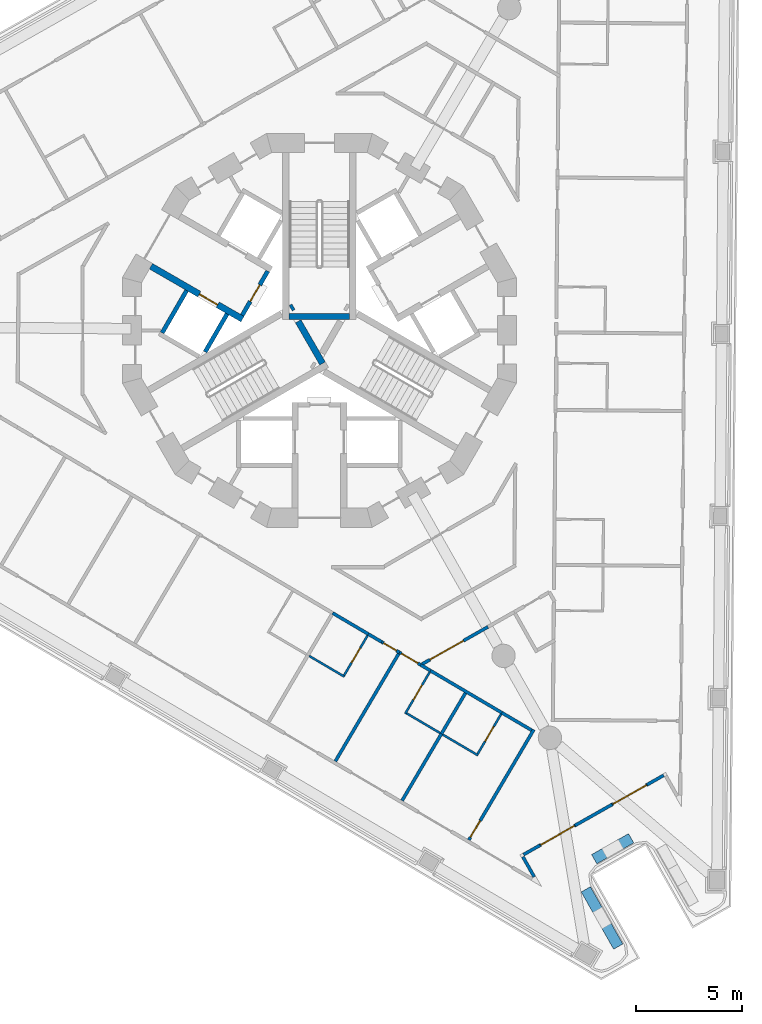
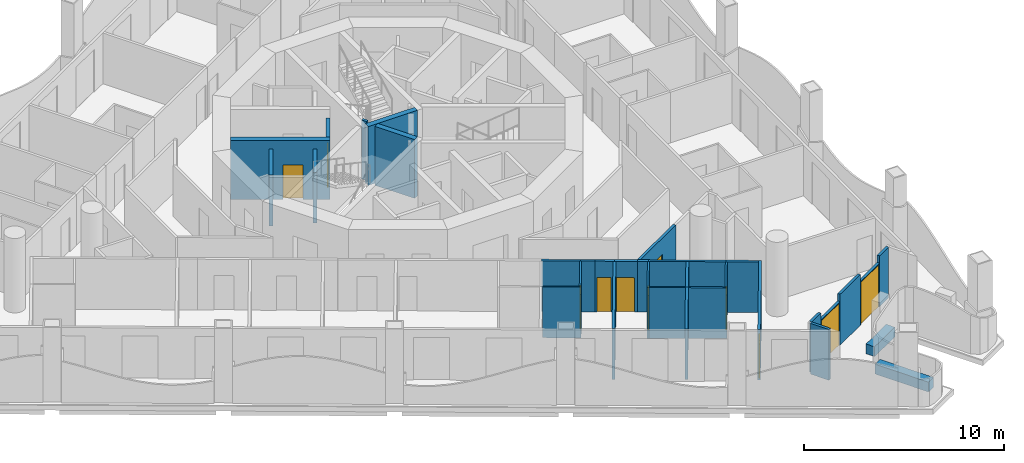
# One storey, part 4 of 17: 33 walls, 11 doors, 11 openings.
"""IFC4 building model written with IfcOpenShell, lengths in metres."""

import ifcopenshell
import ifcopenshell.guid

model = None  # the IFC model being written
_history = None  # IfcOwnerHistory: only IFC2X3 demands one
_inside = {}  # id of a spatial element -> (the spatial element, [elements in it])
_under = {}  # id of a project, library or spatial element -> (it, [spatial elements below it])
_declared = {}  # id of a project -> (the project, [libraries it declares])
_typed = {}  # id of a type object -> (the type object, [elements of that type])
_made_of = {}  # id of a material, layer set ... -> (it, [elements and type objects made of it])


def new_model(schema):
    """Start an empty IFC model of exactly this schema.

    Asked for "IFC4X3", IfcOpenShell would pick the latest addendum, in which some entities
    have other attributes; the version numbers below select the first issue.
    IFC2X3 requires an IfcOwnerHistory on every rooted entity: one is made here for all.
    """
    global model, _history
    if schema == "IFC4X3":
        model = ifcopenshell.file(schema_version=(4, 3, 0, 0))
    else:
        model = ifcopenshell.file(schema=schema)
    _inside.clear()
    _under.clear()
    _declared.clear()
    _typed.clear()
    _made_of.clear()
    _history = None
    if model.schema == "IFC2X3":
        org = make("IfcOrganization", Name="unknown")
        user = make(
            "IfcPersonAndOrganization",
            ThePerson=make("IfcPerson", FamilyName="unknown"),
            TheOrganization=org,
        )
        app = make(
            "IfcApplication",
            ApplicationDeveloper=org,
            Version="unknown",
            ApplicationFullName="unknown",
            ApplicationIdentifier="unknown",
        )
        _history = make(
            "IfcOwnerHistory",
            OwningUser=user,
            OwningApplication=app,
            ChangeAction="ADDED",
            CreationDate=0,
        )
    return model


def make(cls, **values):
    """One entity of the class cls with the attributes given. An attribute that is None is left unset."""
    return model.create_entity(
        cls, **{name: value for name, value in values.items() if value is not None}
    )


def rooted(cls, **values):
    """An entity with a GlobalId (a new one), such as an element, a storey or a relation."""
    return make(cls, GlobalId=ifcopenshell.guid.new(), OwnerHistory=_history, **values)


def si_unit(unit_type, name, prefix=None):
    """IfcSIUnit, for example si_unit("LENGTHUNIT", "METRE", prefix="MILLI")."""
    return make("IfcSIUnit", UnitType=unit_type, Prefix=prefix, Name=name)


def assignment(units):
    """IfcUnitAssignment: the units of a project."""
    return None if units is None else make("IfcUnitAssignment", Units=units)


def point(xyz):
    """IfcCartesianPoint."""
    return None if xyz is None else make("IfcCartesianPoint", Coordinates=xyz)


def direction(xyz):
    """IfcDirection."""
    return None if xyz is None else make("IfcDirection", DirectionRatios=xyz)


def frame(location, z_axis=None, x_axis=None):
    """IfcAxis2Placement3D, a coordinate frame: its origin and axes. An axis left out is left unset."""
    return make(
        "IfcAxis2Placement3D",
        Location=point(location),
        Axis=direction(z_axis),
        RefDirection=direction(x_axis),
    )


def frame_2d(location, x_axis=None):
    """IfcAxis2Placement2D, a coordinate frame in the plane: its origin and x axis."""
    return make(
        "IfcAxis2Placement2D", Location=point(location), RefDirection=direction(x_axis)
    )


def origin():
    """The frame at (0, 0, 0) with its axes left unset."""
    return frame((0.0, 0.0, 0.0))


def place(relative_to, where):
    """IfcLocalPlacement: puts the frame where relative to a parent placement (None: the world)."""
    return make(
        "IfcLocalPlacement", PlacementRelTo=relative_to, RelativePlacement=where
    )


def context(
    kind, dimensions, precision=None, world=None, true_north=None, identifier=None
):
    """IfcGeometricRepresentationContext, for example the 3D "Model" context."""
    return make(
        "IfcGeometricRepresentationContext",
        ContextIdentifier=identifier,
        ContextType=kind,
        CoordinateSpaceDimension=dimensions,
        Precision=precision,
        WorldCoordinateSystem=world,
        TrueNorth=true_north,
    )


def subcontext(parent, identifier, kind, view, scale=None):
    """IfcGeometricRepresentationSubContext, for example "Body" below "Model"."""
    return make(
        "IfcGeometricRepresentationSubContext",
        ContextIdentifier=identifier,
        ContextType=kind,
        ParentContext=parent,
        TargetScale=scale,
        TargetView=view,
    )


def project(units=None, contexts=None):
    """IfcProject with its units and contexts."""
    return rooted(
        "IfcProject",
        Name="project",
        RepresentationContexts=contexts,
        UnitsInContext=assignment(units),
    )


def spatial(cls, under=None, at=None, **own):
    """A site, building, storey or space (cls), placed at a placement, below another one or the project."""
    s = rooted(cls, ObjectPlacement=at, **own)
    if under is not None:
        _under.setdefault(under.id(), (under, []))[1].append(s)
    return s


def polyline(points):
    """IfcPolyline through the points."""
    return make("IfcPolyline", Points=[point(p) for p in points])


def profile(cls, at=None, kind="AREA", **sizes):
    """A parametric profile (cls). Its sizes go by their IFC names, for example OverallWidth=200.0."""
    return make(cls, ProfileType=kind, Position=at, **sizes)


def rectangle(**sizes):
    """IfcRectangleProfileDef."""
    return profile("IfcRectangleProfileDef", **sizes)


def outline(outer, holes=None, kind="AREA"):
    """IfcArbitraryClosedProfileDef: a profile drawn as a closed curve; with holes, ...WithVoids."""
    if holes is None:
        return make("IfcArbitraryClosedProfileDef", ProfileType=kind, OuterCurve=outer)
    return make(
        "IfcArbitraryProfileDefWithVoids",
        ProfileType=kind,
        OuterCurve=outer,
        InnerCurves=holes,
    )


def extrude(swept, where, along, depth):
    """IfcExtrudedAreaSolid: the profile swept, set in the frame where, extruded along a direction by depth."""
    return make(
        "IfcExtrudedAreaSolid",
        SweptArea=swept,
        Position=where,
        ExtrudedDirection=direction(along),
        Depth=depth,
    )


def shape(context_of_items, identifier, shape_type, items):
    """IfcShapeRepresentation: the items that make up one representation, for example the "Body"."""
    return make(
        "IfcShapeRepresentation",
        ContextOfItems=context_of_items,
        RepresentationIdentifier=identifier,
        RepresentationType=shape_type,
        Items=items,
    )


def material(Name=None, Category=None):
    """IfcMaterial."""
    return make("IfcMaterial", Name=Name, Category=Category)


def layer(
    of_material, thickness, ventilated=None, Name=None, Category=None, Priority=None
):
    """IfcMaterialLayer: one layer of a wall or slab, of a material (None: an air gap)."""
    return make(
        "IfcMaterialLayer",
        Material=of_material,
        LayerThickness=thickness,
        IsVentilated=ventilated,
        Name=Name,
        Category=Category,
        Priority=Priority,
    )


def layer_set(layers, Name=None):
    """IfcMaterialLayerSet."""
    return make("IfcMaterialLayerSet", MaterialLayers=layers, LayerSetName=Name)


def made_of(thing, what):
    """Note that an element or type object is made of a material, layer set ...; save() writes the relation."""
    if what is not None:
        _made_of.setdefault(what.id(), (what, []))[1].append(thing)
    return thing


def type_object(cls, material=None, **own):
    """A type object (cls), such as IfcWallType, which elements share."""
    return made_of(rooted(cls, **own), material)


def element(
    cls,
    number,
    at=None,
    inside=None,
    cuts=None,
    type_object=None,
    material=None,
    context=None,
    identifier="Body",
    shape_type=None,
    held_by="IfcProductDefinitionShape",
    body=None,
    shapes=None,
    **own,
):
    """One element of the class cls, such as IfcWall. Its Tag is "e" and its number.

    at: its placement. inside: the storey or other place that contains it. cuts: it is an
    opening in that element (IfcRelVoidsElement). A single representation is given by context,
    identifier, shape_type and body (its items); several are given by shapes. held_by: the class
    of the entity that holds the representations. save() writes the other relations.
    """
    e = rooted(cls, Tag="e%d" % number, ObjectPlacement=at, **own)
    if body is not None:
        shapes = [shape(context, identifier, shape_type, body)]
    if shapes is not None:
        e.Representation = make(held_by, Representations=shapes)
    if inside is not None:
        _inside.setdefault(inside.id(), (inside, []))[1].append(e)
    if cuts is not None:
        rooted(
            "IfcRelVoidsElement", RelatingBuildingElement=cuts, RelatedOpeningElement=e
        )
    if type_object is not None:
        _typed.setdefault(type_object.id(), (type_object, []))[1].append(e)
    return made_of(e, material)


def fill(opening, filler):
    """IfcRelFillsElement: the door or window that sits in an opening."""
    return rooted(
        "IfcRelFillsElement",
        RelatingOpeningElement=opening,
        RelatedBuildingElement=filler,
    )


def aggregate(whole, parts):
    """IfcRelAggregates: a whole, such as a stair, and the parts it consists of."""
    return rooted("IfcRelAggregates", RelatingObject=whole, RelatedObjects=parts)


def save(model, path):
    """Write the relations noted so far, then the file.

    IfcRelAggregates (storeys below a building ...), IfcRelContainedInSpatialStructure (elements
    in a storey), IfcRelDefinesByType, IfcRelAssociatesMaterial and IfcRelDeclares: one each for
    every whole, place, type object, material and project.
    """
    for whole, parts in _under.values():
        aggregate(whole, parts)
    for where, things in _inside.values():
        rooted(
            "IfcRelContainedInSpatialStructure",
            RelatedElements=things,
            RelatingStructure=where,
        )
    for kind, things in _typed.values():
        rooted("IfcRelDefinesByType", RelatedObjects=things, RelatingType=kind)
    for what, things in _made_of.values():
        rooted("IfcRelAssociatesMaterial", RelatedObjects=things, RelatingMaterial=what)
    for by, libraries in _declared.values():
        rooted("IfcRelDeclares", RelatingContext=by, RelatedDefinitions=libraries)
    model.write(path)


model = new_model("IFC4")

# Units and contexts
model_context = context("Model", 3, precision=1e-05, world=origin(), true_north=direction((0.0, 1.0)))
body_context = subcontext(model_context, "Body", "Model", "MODEL_VIEW")
ifc_project = project(units=[si_unit("LENGTHUNIT", "METRE"), si_unit("AREAUNIT", "SQUARE_METRE"), si_unit("VOLUMEUNIT", "CUBIC_METRE"), si_unit("PLANEANGLEUNIT", "RADIAN"), si_unit("MASSUNIT", "GRAM", prefix="KILO")], contexts=[model_context])

# Site, building, storey
site_placement = place(None, origin())
site = spatial("IfcSite", under=ifc_project, at=site_placement, CompositionType="ELEMENT")
building_placement = place(site_placement, origin())
building = spatial("IfcBuilding", under=site, at=building_placement, Name="Trine Commons Tower", CompositionType="ELEMENT")
storey_placement = place(building_placement, frame((0.0, 0.0, 189.89990234375)))
storey = spatial("IfcBuildingStorey", under=building, at=storey_placement, Name="L49", CompositionType="ELEMENT", Elevation=189.89990234375)

# Wall
ifc_material_1 = material(Name="Aluminium-framed insulated wall panel", Category="aluminium")
ifc_layer_1 = layer(ifc_material_1, 0.14990234375)
ifc_layer_set_1 = layer_set([ifc_layer_1], Name="Aluminium-framed insulated wall panel")
wall_type_1 = type_object("IfcWallType", Name="Glazed frame wall 150, EI 60", PredefinedType="SOLIDWALL", material=ifc_layer_set_1)
wall_1_placement = place(storey_placement, frame((96.30078125, 41.6083984375, 0.0), z_axis=(0.0, 0.0, 1.0), x_axis=(-0.870353598469, -0.492427267353, 0.0)))
element("IfcWall", 1, at=wall_1_placement, inside=storey, type_object=wall_type_1, Name="Glazed frame wall P3.1", PredefinedType="SOLIDWALL", context=body_context, shape_type="SweptSolid", body=[
    extrude(outline(polyline([(0.110107421875, -0.074951171875), (1.0, -0.074951171875), (1.0, 0.074951171875), (0.110107421875, 0.074951171875), (0.110107421875, -0.074951171875)])), origin(), (0.0, 0.0, 1.0), 3.10009765625),
])

# Wall, opening, door
wall_2_placement = place(storey_placement, frame((95.430419921875, 41.115966796875, 0.0), z_axis=(0.0, 0.0, 1.0), x_axis=(-0.870354540841, -0.492425601728, 0.0)))
wall_2 = element("IfcWall", 2, at=wall_2_placement, inside=storey, type_object=wall_type_1, Name="Glazed frame wall P3.2", PredefinedType="SOLIDWALL", context=body_context, shape_type="SweptSolid", body=[
    extrude(outline(polyline([(0.0, -0.074951171875), (1.89990234375, -0.074951171875), (1.89990234375, 0.074951171875), (0.0, 0.074951171875), (0.0, -0.074951171875)])), origin(), (0.0, 0.0, 1.0), 2.650146484375),
])
opening_1_placement = place(wall_2_placement, frame((0.050048828125, 0.0, 0.0)))
opening_1 = element("IfcOpeningElement", 3, at=opening_1_placement, cuts=wall_2, Name="Opening BD-5P3-01", PredefinedType="OPENING", context=body_context, shape_type="SweptSolid", body=[
    extrude(rectangle(XDim=1.800048828125, YDim=2.60009765625, at=frame_2d((0.89990234375, 1.300048828125))), frame((0.0, 0.0849609375, 0.0), z_axis=(0.0, -1.0, 0.0), x_axis=(1.0, 0.0, 0.0)), (0.0, 0.0, 1.0), 0.169921875),
])
ifc_material_2 = material(Name="Anodised aluminium frame with double glazing", Category="aluminium")
door_type_1 = type_object("IfcDoorType", Name="Sliding loggia door 1800x2600", OperationType="SLIDING_TO_LEFT", PredefinedType="DOOR", material=ifc_material_2)
door_1_placement = place(opening_1_placement, origin())
door_1 = element("IfcDoor", 4, at=door_1_placement, inside=storey, type_object=door_type_1, Name="Loggia door P3 1", OperationType="SLIDING_TO_LEFT", OverallHeight=2.60009765625, OverallWidth=1.800048828125, PredefinedType="DOOR", context=body_context, shape_type="SweptSolid", body=[
    extrude(rectangle(XDim=1.800048828125, YDim=2.60009765625, at=frame_2d((0.89990234375, 1.300048828125))), frame((0.0, 0.02490234375, 0.0), z_axis=(0.0, -1.0, 0.0), x_axis=(1.0, 0.0, 0.0)), (0.0, 0.0, 1.0), 0.050048828125),
])
fill(opening_1, door_1)

# Wall
wall_3_placement = place(storey_placement, frame((93.77685546875, 40.180419921875, 0.0), z_axis=(0.0, 0.0, 1.0), x_axis=(-0.870353598469, -0.492427267353, 0.0)))
element("IfcWall", 5, at=wall_3_placement, inside=storey, type_object=wall_type_1, Name="Glazed frame wall P3.3", PredefinedType="SOLIDWALL", context=body_context, shape_type="SweptSolid", body=[
    extrude(outline(polyline([(0.0, -0.074951171875), (2.0, -0.074951171875), (2.0, 0.074951171875), (0.0, 0.074951171875), (0.0, -0.074951171875)])), origin(), (0.0, 0.0, 1.0), 3.10009765625),
])

# Wall, opening, door
wall_4_placement = place(storey_placement, frame((92.0361328125, 39.195556640625, 0.0), z_axis=(0.0, 0.0, 1.0), x_axis=(-0.870385695537, -0.492370532226, 0.0)))
wall_4 = element("IfcWall", 6, at=wall_4_placement, inside=storey, type_object=wall_type_1, Name="Glazed frame wall P3.4", PredefinedType="SOLIDWALL", context=body_context, shape_type="SweptSolid", body=[
    extrude(outline(polyline([(0.0, -0.074951171875), (1.89990234375, -0.074951171875), (1.89990234375, 0.074951171875), (0.0, 0.074951171875), (0.0, -0.074951171875)])), origin(), (0.0, 0.0, 1.0), 2.650146484375),
])
opening_2_placement = place(wall_4_placement, frame((0.050048828125, 0.0, 0.0)))
opening_2 = element("IfcOpeningElement", 7, at=opening_2_placement, cuts=wall_4, Name="Opening BD-5P3-02", PredefinedType="OPENING", context=body_context, shape_type="SweptSolid", body=[
    extrude(rectangle(XDim=1.800048828125, YDim=2.60009765625, at=frame_2d((0.89990234375, 1.300048828125))), frame((0.0, 0.0849609375, 0.0), z_axis=(0.0, -1.0, 0.0), x_axis=(1.0, 0.0, 0.0)), (0.0, 0.0, 1.0), 0.169921875),
])
door_2_placement = place(opening_2_placement, origin())
door_2 = element("IfcDoor", 8, at=door_2_placement, inside=storey, type_object=door_type_1, Name="Loggia door P3 2", OperationType="SLIDING_TO_LEFT", OverallHeight=2.60009765625, OverallWidth=1.800048828125, PredefinedType="DOOR", context=body_context, shape_type="SweptSolid", body=[
    extrude(rectangle(XDim=1.800048828125, YDim=2.60009765625, at=frame_2d((0.89990234375, 1.300048828125))), frame((0.0, 0.02490234375, 0.0), z_axis=(0.0, -1.0, 0.0), x_axis=(1.0, 0.0, 0.0)), (0.0, 0.0, 1.0), 0.050048828125),
])
fill(opening_2, door_2)

# Walls
wall_5_placement = place(storey_placement, frame((90.38232421875, 38.260009765625, 0.0), z_axis=(0.0, 0.0, 1.0), x_axis=(-0.870294379776, -0.492531920316, 0.0)))
element("IfcWall", 9, at=wall_5_placement, inside=storey, type_object=wall_type_1, Name="Glazed frame wall P3.5", PredefinedType="SOLIDWALL", context=body_context, shape_type="SweptSolid", body=[
    extrude(outline(polyline([(0.889892578125, 0.074951171875), (0.0, 0.074951171875), (0.0, -0.074951171875), (0.889892578125, -0.074951171875), (0.889892578125, 0.074951171875)])), origin(), (0.0, 0.0, 1.0), 3.10009765625),
])
wall_6_placement = place(storey_placement, frame((89.525390625, 37.815185546875, 0.0), z_axis=(0.0, 0.0, 1.0), x_axis=(0.492302481267, -0.870424187933, 0.0)))
element("IfcWall", 10, at=wall_6_placement, inside=storey, type_object=wall_type_1, Name="Glazed frame wall R11", PredefinedType="SOLIDWALL", context=body_context, shape_type="SweptSolid", body=[
    extrude(outline(polyline([(0.110107421875, 0.074951171875), (0.110107421875, -0.074951171875), (1.19580078125, -0.074951171875), (1.19580078125, 0.074951171875), (0.110107421875, 0.074951171875)])), origin(), (0.0, 0.0, 1.0), 3.10009765625),
])

# Wall, opening, door
ifc_material_3 = material(Name="Fire-rated gypsum shaft wall system")
ifc_layer_2 = layer(ifc_material_3, 0.199951171875)
ifc_layer_set_2 = layer_set([ifc_layer_2], Name="Fire-rated gypsum shaft wall system")
wall_type_2 = type_object("IfcWallType", Name="Lobby end wall 200 mm, EI 120", PredefinedType="PARTITIONING", material=ifc_layer_set_2)
wall_7_placement = place(storey_placement, frame((77.569091796875, 65.2890625, 0.0), z_axis=(0.0, 0.0, 1.0), x_axis=(-0.50012165622, -0.865955154139, 0.0)))
wall_7 = element("IfcWall", 11, at=wall_7_placement, inside=storey, type_object=wall_type_2, Name="Lobby end wall L49", PredefinedType="PARTITIONING", context=body_context, shape_type="SweptSolid", body=[
    extrude(rectangle(XDim=2.39990234375, YDim=0.199951171875, at=frame_2d((1.199951171875, 0.0))), origin(), (0.0, 0.0, 1.0), 3.10009765625),
])
opening_3_placement = place(wall_7_placement, frame((0.749755859375, 0.0, 0.0)))
opening_3 = element("IfcOpeningElement", 12, at=opening_3_placement, cuts=wall_7, Name="Opening K12.07", PredefinedType="OPENING", context=body_context, shape_type="SweptSolid", body=[
    extrude(rectangle(XDim=0.89990234375, YDim=2.10009765625, at=frame_2d((0.449951171875, 1.050048828125))), frame((0.0, 0.10986328125, 0.0), z_axis=(0.0, -1.0, 0.0), x_axis=(1.0, 0.0, 0.0)), (0.0, 0.0, 1.0), 0.219970703125),
])
ifc_material_4 = material(Name="Steel door leaf, fire-rated", Category="steel")
door_type_2 = type_object("IfcDoorType", Name="Riser access door, single leaf 900 x 2100, FD60", OperationType="SINGLE_SWING_LEFT", PredefinedType="DOOR", material=ifc_material_4)
door_3_placement = place(opening_3_placement, frame((0.89990234375, 0.0, 0.0), z_axis=(0.0, 0.0, 1.0), x_axis=(-1.0, 0.0, 0.0)))
door_3 = element("IfcDoor", 13, at=door_3_placement, inside=storey, type_object=door_type_2, Name="Riser door, Mechanical riser L49", OperationType="SINGLE_SWING_RIGHT", OverallHeight=2.10009765625, OverallWidth=0.89990234375, PredefinedType="DOOR", context=body_context, shape_type="SweptSolid", body=[
    extrude(rectangle(XDim=0.89990234375, YDim=2.10009765625, at=frame_2d((0.449951171875, 1.050048828125))), frame((0.0, 0.02490234375, 0.0), z_axis=(0.0, -1.0, 0.0), x_axis=(1.0, 0.0, 0.0)), (0.0, 0.0, 1.0), 0.050048828125),
])
fill(opening_3, door_3)

# Walls
ifc_material_5 = material(Name="Planter trough, precast concrete C40/50", Category="concrete")
ifc_layer_3 = layer(ifc_material_5, 0.5)
ifc_layer_set_3 = layer_set([ifc_layer_3], Name="Planter trough, precast concrete C40/50")
wall_type_3 = type_object("IfcWallType", Name="Planter trough 500x600", PredefinedType="PARAPET", material=ifc_layer_set_3)
wall_8_placement = place(storey_placement, frame((94.67529296875, 38.592041015625, 0.0), z_axis=(0.0, 0.0, 1.0), x_axis=(-0.870323993841, -0.492479589165, 0.0)))
element("IfcWall", 14, at=wall_8_placement, inside=storey, type_object=wall_type_3, Name="Planter 8", PredefinedType="PARAPET", context=body_context, shape_type="SweptSolid", body=[
    extrude(rectangle(XDim=1.999755859375, YDim=0.5, at=frame_2d((1.0, 0.0))), origin(), (0.0, 0.0, 1.0), 0.60009765625),
])
wall_9_placement = place(storey_placement, frame((92.541748046875, 36.189697265625, 0.0), z_axis=(0.0, 0.0, 1.0), x_axis=(0.492402381783, -0.870367677717, 0.0)))
element("IfcWall", 15, at=wall_9_placement, inside=storey, type_object=wall_type_3, Name="Planter 9", PredefinedType="PARAPET", context=body_context, shape_type="SweptSolid", body=[
    extrude(rectangle(XDim=3.099853515625, YDim=0.5, at=frame_2d((1.5498046875, 0.0))), origin(), (0.0, 0.0, 1.0), 0.60009765625),
])

# Wall, opening, door
ifc_material_6 = material(Name="Concrete C60/75", Category="concrete")
ifc_layer_4 = layer(ifc_material_6, 0.300048828125)
ifc_layer_set_4 = layer_set([ifc_layer_4], Name="Concrete C60/75")
wall_type_4 = type_object("IfcWallType", Name="RC shear wall 300 mm, C60/75", PredefinedType="SHEAR", material=ifc_layer_set_4)
wall_10_placement = place(storey_placement, frame((76.381103515625, 63.031005859375, 0.0), z_axis=(0.0, 0.0, 1.0), x_axis=(-0.866080953719, 0.499903772346, 0.0)))
wall_10 = element("IfcWall", 16, at=wall_10_placement, inside=storey, type_object=wall_type_4, Name="Core cross wall SWB-01 L49", PredefinedType="SHEAR", context=body_context, shape_type="SweptSolid", body=[
    extrude(rectangle(XDim=4.97314453125, YDim=0.300048828125, at=frame_2d((2.486572265625, 0.0))), origin(), (0.0, 0.0, 1.0), 3.60009765625),
])
opening_4_placement = place(wall_10_placement, frame((1.350341796875, 0.0, 0.0)))
opening_4 = element("IfcOpeningElement", 17, at=opening_4_placement, cuts=wall_10, Name="Opening LD7", PredefinedType="OPENING", context=body_context, shape_type="SweptSolid", body=[
    extrude(rectangle(XDim=1.0, YDim=2.10009765625, at=frame_2d((0.5, 1.050048828125))), frame((0.0, 0.159912109375, 0.0), z_axis=(0.0, -1.0, 0.0), x_axis=(1.0, 0.0, 0.0)), (0.0, 0.0, 1.0), 0.320068359375),
])
ifc_material_7 = material(Name="Stainless steel sliding door leaves", Category="steel")
door_type_3 = type_object("IfcDoorType", Name="Lift landing door, centre-opening sliding 1000 x 2100, FD90", OperationType="DOUBLE_DOOR_SLIDING", PredefinedType="DOOR", material=ifc_material_7)
door_4_placement = place(opening_4_placement, origin())
door_4 = element("IfcDoor", 18, at=door_4_placement, inside=storey, type_object=door_type_3, Name="Lift landing door HR3 L49", OperationType="DOUBLE_DOOR_SLIDING", OverallHeight=2.10009765625, OverallWidth=1.0, PredefinedType="DOOR", context=body_context, shape_type="SweptSolid", body=[
    extrude(rectangle(XDim=1.0, YDim=2.10009765625, at=frame_2d((0.5, 1.050048828125))), frame((0.0, 0.02490234375, 0.0), z_axis=(0.0, -1.0, 0.0), x_axis=(1.0, 0.0, 0.0)), (0.0, 0.0, 1.0), 0.050048828125),
])
fill(opening_4, door_4)

# Walls
wall_11_placement = place(storey_placement, frame((78.779052734375, 63.614013671875, 0.0), z_axis=(0.0, 0.0, 1.0), x_axis=(-0.867737973955, -0.497021939713, 0.0)))
element("IfcWall", 19, at=wall_11_placement, inside=storey, type_object=wall_type_4, Name="Core cross wall SWB-09 L49", PredefinedType="SHEAR", context=body_context, shape_type="SweptSolid", body=[
    extrude(rectangle(XDim=0.14892578125, YDim=0.300048828125, at=frame_2d((0.074462890625, 0.0))), origin(), (0.0, 0.0, 1.0), 3.60009765625),
])
wall_12_placement = place(storey_placement, frame((79.0029296875, 62.926025390625, 0.0), z_axis=(0.0, 0.0, 1.0), x_axis=(0.499965247104, -0.866045467449, 0.0)))
element("IfcWall", 20, at=wall_12_placement, inside=storey, type_object=wall_type_4, Name="Core cross wall SWB-10 L49", PredefinedType="SHEAR", context=body_context, shape_type="SweptSolid", body=[
    extrude(rectangle(XDim=2.292236328125, YDim=0.300048828125, at=frame_2d((1.14599609375, 0.0))), origin(), (0.0, 0.0, 1.0), 3.60009765625),
])
wall_13_placement = place(storey_placement, frame((81.425048828125, 63.15087890625, 0.0), z_axis=(0.0, 0.0, 1.0), x_axis=(-1.0, 0.0, 0.0)))
element("IfcWall", 21, at=wall_13_placement, inside=storey, type_object=wall_type_4, Name="Core cross wall SWB-16 L49", PredefinedType="SHEAR", context=body_context, shape_type="SweptSolid", body=[
    extrude(rectangle(XDim=2.85009765625, YDim=0.300048828125, at=frame_2d((1.425048828125, 0.0))), origin(), (0.0, 0.0, 1.0), 3.60009765625),
])
ifc_layer_5 = layer(ifc_material_3, 0.199951171875)
ifc_layer_set_5 = layer_set([ifc_layer_5], Name="Fire-rated gypsum shaft wall system")
wall_type_5 = type_object("IfcWallType", Name="Shaft wall 200 mm, EI 120", PredefinedType="PARTITIONING", material=ifc_layer_set_5)
wall_14_placement = place(storey_placement, frame((73.7509765625, 64.3759765625, 0.0), z_axis=(0.0, 0.0, 1.0), x_axis=(-0.500136062276, -0.86594683394, 0.0)))
element("IfcWall", 22, at=wall_14_placement, inside=storey, type_object=wall_type_5, Name="Shaft wall L49", PredefinedType="PARTITIONING", context=body_context, shape_type="SweptSolid", body=[
    extrude(rectangle(XDim=2.299072265625, YDim=0.199951171875, at=frame_2d((1.1494140625, 0.0))), origin(), (0.0, 0.0, 1.0), 3.10009765625),
])
wall_15_placement = place(storey_placement, frame((75.656005859375, 63.27587890625, 0.0), z_axis=(0.0, 0.0, 1.0), x_axis=(-0.500271688072, -0.86586848777, 0.0)))
element("IfcWall", 23, at=wall_15_placement, inside=storey, type_object=wall_type_5, Name="Shaft wall L49", PredefinedType="PARTITIONING", context=body_context, shape_type="SweptSolid", body=[
    extrude(rectangle(XDim=2.064697265625, YDim=0.199951171875, at=frame_2d((1.0322265625, 0.0))), origin(), (0.0, 0.0, 1.0), 3.10009765625),
])
ifc_material_8 = material(Name="Gypsum plasterboard on steel stud", Category="steel")
ifc_layer_6 = layer(ifc_material_8, 0.14990234375)
ifc_layer_set_6 = layer_set([ifc_layer_6], Name="Gypsum plasterboard on steel stud")
wall_type_6 = type_object("IfcWallType", Name="Unit and corridor wall 150 mm, EI 60", PredefinedType="PARTITIONING", material=ifc_layer_set_6)
wall_16_placement = place(storey_placement, frame((80.6240234375, 49.194091796875, 0.0), z_axis=(0.0, 0.0, 1.0), x_axis=(0.861395924151, -0.507934111727, 0.0)))
element("IfcWall", 24, at=wall_16_placement, inside=storey, type_object=wall_type_6, Name="Partition 056", PredefinedType="PARTITIONING", context=body_context, shape_type="SweptSolid", body=[
    extrude(rectangle(XDim=2.00732421875, YDim=0.14990234375, at=frame_2d((1.003662109375, 0.0))), origin(), (0.0, 0.0, 1.0), 3.10009765625),
])
wall_17_placement = place(storey_placement, frame((80.750244140625, 42.215576171875, 0.0), z_axis=(0.0, 0.0, 1.0), x_axis=(0.507497807972, 0.86165304787, 0.0)))
element("IfcWall", 25, at=wall_17_placement, inside=storey, type_object=wall_type_6, Name="Partition 059", PredefinedType="PARTITIONING", context=body_context, shape_type="SweptSolid", body=[
    extrude(rectangle(XDim=5.873291015625, YDim=0.14990234375, at=frame_2d((2.9365234375, 0.0))), origin(), (0.0, 0.0, 1.0), 3.10009765625),
])
wall_18_placement = place(storey_placement, frame((82.303955078125, 48.2041015625, 0.0), z_axis=(0.0, 0.0, 1.0), x_axis=(0.861676633233, -0.507457761532, 0.0)))
element("IfcWall", 26, at=wall_18_placement, inside=storey, type_object=wall_type_6, Name="Partition 066", PredefinedType="PARTITIONING", context=body_context, shape_type="SweptSolid", body=[
    extrude(rectangle(XDim=0.731201171875, YDim=0.14990234375, at=frame_2d((0.36572265625, 0.0))), origin(), (0.0, 0.0, 1.0), 3.10009765625),
])

# Wall, opening, door
wall_19_placement = place(storey_placement, frame((82.93408203125, 47.8330078125, 0.0), z_axis=(0.0, 0.0, 1.0), x_axis=(0.861475716629, -0.507798768864, 0.0)))
wall_19 = element("IfcWall", 27, at=wall_19_placement, inside=storey, type_object=wall_type_6, Name="Partition 067", PredefinedType="PARTITIONING", context=body_context, shape_type="SweptSolid", body=[
    extrude(rectangle(XDim=0.97265625, YDim=0.14990234375, at=frame_2d((0.486328125, 0.0))), origin(), (0.0, 0.0, 1.0), 3.10009765625),
])
opening_5_placement = place(wall_19_placement, frame((0.1005859375, 0.0, 0.0)))
opening_5 = element("IfcOpeningElement", 28, at=opening_5_placement, cuts=wall_19, Name="Opening D-5C22", PredefinedType="OPENING", context=body_context, shape_type="SweptSolid", body=[
    extrude(rectangle(XDim=0.699951171875, YDim=2.10009765625, at=frame_2d((0.35009765625, 1.050048828125))), frame((0.0, 0.0849609375, 0.0), z_axis=(0.0, -1.0, 0.0), x_axis=(1.0, 0.0, 0.0)), (0.0, 0.0, 1.0), 0.169921875),
])
ifc_material_9 = material(Name="Timber fire door set", Category="wood")
door_type_4 = type_object("IfcDoorType", Name="Bedroom door 700 x 2100, FD30S", OperationType="NOTDEFINED", PredefinedType="DOOR", material=ifc_material_9)
door_5_placement = place(opening_5_placement, frame((0.699951171875, 0.0, 0.0), z_axis=(0.0, 0.0, 1.0), x_axis=(-1.0, 0.0, 0.0)))
door_5 = element("IfcDoor", 29, at=door_5_placement, inside=storey, type_object=door_type_4, Name="Door D-5C22", OperationType="SINGLE_SWING_RIGHT", OverallHeight=2.10009765625, OverallWidth=0.699951171875, PredefinedType="DOOR", context=body_context, shape_type="SweptSolid", body=[
    extrude(rectangle(XDim=0.699951171875, YDim=2.10009765625, at=frame_2d((0.35009765625, 1.050048828125))), frame((0.0, 0.02490234375, 0.0), z_axis=(0.0, -1.0, 0.0), x_axis=(1.0, 0.0, 0.0)), (0.0, 0.0, 1.0), 0.050048828125),
])
fill(opening_5, door_5)

wall_20_placement = place(storey_placement, frame((83.76611328125, 47.343017578125, 0.0), z_axis=(0.0, 0.0, 1.0), x_axis=(0.861734818552, -0.507358948374, 0.0)))
wall_20 = element("IfcWall", 30, at=wall_20_placement, inside=storey, type_object=wall_type_6, Name="Partition 070", PredefinedType="PARTITIONING", context=body_context, shape_type="SweptSolid", body=[
    extrude(rectangle(XDim=1.1650390625, YDim=0.14990234375, at=frame_2d((0.58251953125, 0.0))), origin(), (0.0, 0.0, 1.0), 3.10009765625),
])
opening_6_placement = place(wall_20_placement, frame((0.109619140625, 0.0, 0.0)))
opening_6 = element("IfcOpeningElement", 31, at=opening_6_placement, cuts=wall_20, Name="Opening D-5C21", PredefinedType="OPENING", context=body_context, shape_type="SweptSolid", body=[
    extrude(rectangle(XDim=0.89990234375, YDim=2.10009765625, at=frame_2d((0.449951171875, 1.050048828125))), frame((0.0, 0.0849609375, 0.0), z_axis=(0.0, -1.0, 0.0), x_axis=(1.0, 0.0, 0.0)), (0.0, 0.0, 1.0), 0.169921875),
])
door_type_5 = type_object("IfcDoorType", Name="Bedroom door 900 x 2100, FD30S", OperationType="NOTDEFINED", PredefinedType="DOOR", material=ifc_material_9)
door_6_placement = place(opening_6_placement, frame((0.89990234375, 0.0, 0.0), z_axis=(0.0, 0.0, 1.0), x_axis=(-1.0, 0.0, 0.0)))
door_6 = element("IfcDoor", 32, at=door_6_placement, inside=storey, type_object=door_type_5, Name="Door D-5C21", OperationType="SINGLE_SWING_RIGHT", OverallHeight=2.10009765625, OverallWidth=0.89990234375, PredefinedType="DOOR", context=body_context, shape_type="SweptSolid", body=[
    extrude(rectangle(XDim=0.89990234375, YDim=2.10009765625, at=frame_2d((0.449951171875, 1.050048828125))), frame((0.0, 0.02490234375, 0.0), z_axis=(0.0, -1.0, 0.0), x_axis=(1.0, 0.0, 0.0)), (0.0, 0.0, 1.0), 0.050048828125),
])
fill(opening_6, door_6)

# Walls
wall_21_placement = place(storey_placement, frame((83.892333984375, 40.364501953125, 0.0), z_axis=(0.0, 0.0, 1.0), x_axis=(0.50751135469, 0.861645068959, 0.0)))
element("IfcWall", 33, at=wall_21_placement, inside=storey, type_object=wall_type_6, Name="Partition 071", PredefinedType="PARTITIONING", context=body_context, shape_type="SweptSolid", body=[
    extrude(rectangle(XDim=3.6484375, YDim=0.14990234375, at=frame_2d((1.82421875, 0.0))), origin(), (0.0, 0.0, 1.0), 3.10009765625),
])
wall_22_placement = place(storey_placement, frame((84.77001953125, 46.751953125, 0.0), z_axis=(0.0, 0.0, 1.0), x_axis=(0.861655023, -0.507494454491, 0.0)))
element("IfcWall", 34, at=wall_22_placement, inside=storey, type_object=wall_type_6, Name="Partition 077", PredefinedType="PARTITIONING", context=body_context, shape_type="SweptSolid", body=[
    extrude(rectangle(XDim=0.539794921875, YDim=0.14990234375, at=frame_2d((0.27001953125, 0.0))), origin(), (0.0, 0.0, 1.0), 3.10009765625),
])

# Wall, opening, door
wall_23_placement = place(storey_placement, frame((84.835205078125, 46.788818359375, 0.0), z_axis=(0.0, 0.0, 1.0), x_axis=(0.870381542182, 0.492377874228, 0.0)))
wall_23 = element("IfcWall", 35, at=wall_23_placement, inside=storey, type_object=wall_type_6, Name="Partition 078", PredefinedType="PARTITIONING", context=body_context, shape_type="SweptSolid", body=[
    extrude(rectangle(XDim=3.5625, YDim=0.14990234375, at=frame_2d((1.78125, 0.0))), origin(), (0.0, 0.0, 1.0), 3.10009765625),
])
opening_7_placement = place(wall_23_placement, frame((0.435546875, 0.0, 0.0)))
opening_7 = element("IfcOpeningElement", 36, at=opening_7_placement, cuts=wall_23, Name="Opening D-5C02", PredefinedType="OPENING", context=body_context, shape_type="SweptSolid", body=[
    extrude(rectangle(XDim=1.800048828125, YDim=2.10009765625, at=frame_2d((0.89990234375, 1.050048828125))), frame((0.0, 0.0849609375, 0.0), z_axis=(0.0, -1.0, 0.0), x_axis=(1.0, 0.0, 0.0)), (0.0, 0.0, 1.0), 0.169921875),
])
door_type_6 = type_object("IfcDoorType", Name="Cluster entrance door 1800 x 2100, double leaf, FD30S", OperationType="DOUBLE_DOOR_DOUBLE_SWING", PredefinedType="DOOR", material=ifc_material_9)
door_7_placement = place(opening_7_placement, frame((1.800048828125, 0.0, 0.0), z_axis=(0.0, 0.0, 1.0), x_axis=(-1.0, 0.0, 0.0)))
door_7 = element("IfcDoor", 37, at=door_7_placement, inside=storey, type_object=door_type_6, Name="Door D-5C02", OperationType="DOUBLE_DOOR_DOUBLE_SWING", OverallHeight=2.10009765625, OverallWidth=1.800048828125, PredefinedType="DOOR", context=body_context, shape_type="SweptSolid", body=[
    extrude(rectangle(XDim=1.800048828125, YDim=2.10009765625, at=frame_2d((0.89990234375, 1.050048828125))), frame((0.0, 0.02490234375, 0.0), z_axis=(0.0, -1.0, 0.0), x_axis=(1.0, 0.0, 0.0)), (0.0, 0.0, 1.0), 0.050048828125),
])
fill(opening_7, door_7)

# Walls
wall_24_placement = place(storey_placement, frame((85.22900390625, 46.48193359375, 0.0), z_axis=(0.0, 0.0, 1.0), x_axis=(0.861496973754, -0.507762704629, 0.0)))
element("IfcWall", 38, at=wall_24_placement, inside=storey, type_object=wall_type_6, Name="Partition 084", PredefinedType="PARTITIONING", context=body_context, shape_type="SweptSolid", body=[
    extrude(rectangle(XDim=3.9072265625, YDim=0.14990234375, at=frame_2d((1.95361328125, 0.0))), origin(), (0.0, 0.0, 1.0), 3.10009765625),
])
wall_25_placement = place(storey_placement, frame((85.743896484375, 43.508056640625, 0.0), z_axis=(0.0, 0.0, 1.0), x_axis=(0.507719935198, 0.861522180447, 0.0)))
element("IfcWall", 39, at=wall_25_placement, inside=storey, type_object=wall_type_6, Name="Partition 085", PredefinedType="PARTITIONING", context=body_context, shape_type="SweptSolid", body=[
    extrude(rectangle(XDim=2.225341796875, YDim=0.14990234375, at=frame_2d((1.11279296875, 0.0))), origin(), (0.0, 0.0, 1.0), 3.10009765625),
])

# Wall, opening, door
wall_26_placement = place(storey_placement, frame((87.035400390625, 38.512451171875, 0.0), z_axis=(0.0, 0.0, 1.0), x_axis=(0.507392006532, 0.861715354225, 0.0)))
wall_26 = element("IfcWall", 40, at=wall_26_placement, inside=storey, type_object=wall_type_6, Name="Partition 089", PredefinedType="PARTITIONING", context=body_context, shape_type="SweptSolid", body=[
    extrude(rectangle(XDim=6.024169921875, YDim=0.14990234375, at=frame_2d((3.01220703125, 0.0))), origin(), (0.0, 0.0, 1.0), 3.10009765625),
])
opening_8_placement = place(wall_26_placement, frame((0.14990234375, 0.0, 0.0)))
opening_8 = element("IfcOpeningElement", 41, at=opening_8_placement, cuts=wall_26, Name="Opening D-5C20", PredefinedType="OPENING", context=body_context, shape_type="SweptSolid", body=[
    extrude(rectangle(XDim=0.89990234375, YDim=2.10009765625, at=frame_2d((0.449951171875, 1.050048828125))), frame((0.0, 0.0849609375, 0.0), z_axis=(0.0, -1.0, 0.0), x_axis=(1.0, 0.0, 0.0)), (0.0, 0.0, 1.0), 0.169921875),
])
door_8_placement = place(opening_8_placement, origin())
door_8 = element("IfcDoor", 42, at=door_8_placement, inside=storey, type_object=door_type_5, Name="Door D-5C20", OperationType="SINGLE_SWING_LEFT", OverallHeight=2.10009765625, OverallWidth=0.89990234375, PredefinedType="DOOR", context=body_context, shape_type="SweptSolid", body=[
    extrude(rectangle(XDim=0.89990234375, YDim=2.10009765625, at=frame_2d((0.449951171875, 1.050048828125))), frame((0.0, 0.02490234375, 0.0), z_axis=(0.0, -1.0, 0.0), x_axis=(1.0, 0.0, 0.0)), (0.0, 0.0, 1.0), 0.050048828125),
])
fill(opening_8, door_8)

# Walls
wall_27_placement = place(storey_placement, frame((88.589111328125, 44.501953125, 0.0), z_axis=(0.0, 0.0, 1.0), x_axis=(0.861613540122, -0.507564880068, 0.0)))
element("IfcWall", 43, at=wall_27_placement, inside=storey, type_object=wall_type_6, Name="Partition 097", PredefinedType="PARTITIONING", context=body_context, shape_type="SweptSolid", body=[
    extrude(rectangle(XDim=1.625244140625, YDim=0.14990234375, at=frame_2d((0.8125, 0.0))), origin(), (0.0, 0.0, 1.0), 3.10009765625),
])
ifc_layer_7 = layer(ifc_material_8, 0.10009765625)
ifc_layer_set_7 = layer_set([ifc_layer_7], Name="Gypsum plasterboard on steel stud")
wall_type_7 = type_object("IfcWallType", Name="Unit partition 100 mm, no rating", PredefinedType="PARTITIONING", material=ifc_layer_set_7)
wall_28_placement = place(storey_placement, frame((79.523681640625, 47.172119140625, 0.0), z_axis=(0.0, 0.0, 1.0), x_axis=(0.861836412555, -0.507186354306, 0.0)))
element("IfcWall", 44, at=wall_28_placement, inside=storey, type_object=wall_type_7, Name="Partition 054", PredefinedType="PARTITIONING", context=body_context, shape_type="SweptSolid", body=[
    extrude(rectangle(XDim=1.925537109375, YDim=0.10009765625, at=frame_2d((0.962890625, 0.0))), origin(), (0.0, 0.0, 1.0), 3.10009765625),
])

# Wall, opening, door
wall_29_placement = place(storey_placement, frame((81.165283203125, 46.26416015625, 0.0), z_axis=(0.0, 0.0, 1.0), x_axis=(0.507559836999, 0.861616510906, 0.0)))
wall_29 = element("IfcWall", 45, at=wall_29_placement, inside=storey, type_object=wall_type_7, Name="Partition 064", PredefinedType="PARTITIONING", context=body_context, shape_type="SweptSolid", body=[
    extrude(rectangle(XDim=2.174072265625, YDim=0.10009765625, at=frame_2d((1.0869140625, 0.0))), origin(), (0.0, 0.0, 1.0), 3.10009765625),
])
opening_9_placement = place(wall_29_placement, frame((0.68701171875, 0.0, 0.0)))
opening_9 = element("IfcOpeningElement", 46, at=opening_9_placement, cuts=wall_29, Name="Opening D-5C48", PredefinedType="OPENING", context=body_context, shape_type="SweptSolid", body=[
    extrude(rectangle(XDim=0.800048828125, YDim=2.10009765625, at=frame_2d((0.39990234375, 1.050048828125))), frame((0.0, 0.06005859375, 0.0), z_axis=(0.0, -1.0, 0.0), x_axis=(1.0, 0.0, 0.0)), (0.0, 0.0, 1.0), 0.1201171875),
])
ifc_material_10 = material(Name="Painted timber", Category="wood")
door_type_7 = type_object("IfcDoorType", Name="Internal door 800 x 2100, NOT RATED", OperationType="NOTDEFINED", PredefinedType="DOOR", material=ifc_material_10)
door_9_placement = place(opening_9_placement, frame((0.800048828125, 0.0, 0.0), z_axis=(0.0, 0.0, 1.0), x_axis=(-1.0, 0.0, 0.0)))
door_9 = element("IfcDoor", 47, at=door_9_placement, inside=storey, type_object=door_type_7, Name="Door D-5C48", OperationType="SINGLE_SWING_RIGHT", OverallHeight=2.10009765625, OverallWidth=0.800048828125, PredefinedType="DOOR", context=body_context, shape_type="SweptSolid", body=[
    extrude(rectangle(XDim=0.800048828125, YDim=2.10009765625, at=frame_2d((0.39990234375, 1.050048828125))), frame((0.0, 0.02490234375, 0.0), z_axis=(0.0, -1.0, 0.0), x_axis=(1.0, 0.0, 0.0)), (0.0, 0.0, 1.0), 0.050048828125),
])
fill(opening_9, door_9)

wall_30_placement = place(storey_placement, frame((84.03857421875, 44.454833984375, 0.0), z_axis=(0.0, 0.0, 1.0), x_axis=(0.50769515182, 0.861536785528, 0.0)))
wall_30 = element("IfcWall", 48, at=wall_30_placement, inside=storey, type_object=wall_type_7, Name="Partition 072", PredefinedType="PARTITIONING", context=body_context, shape_type="SweptSolid", body=[
    extrude(rectangle(XDim=2.275634765625, YDim=0.10009765625, at=frame_2d((1.1376953125, 0.0))), origin(), (0.0, 0.0, 1.0), 3.10009765625),
])
opening_10_placement = place(wall_30_placement, frame((0.7626953125, 0.0, 0.0)))
opening_10 = element("IfcOpeningElement", 49, at=opening_10_placement, cuts=wall_30, Name="Opening D-5C47", PredefinedType="OPENING", context=body_context, shape_type="SweptSolid", body=[
    extrude(rectangle(XDim=0.800048828125, YDim=2.10009765625, at=frame_2d((0.39990234375, 1.050048828125))), frame((0.0, 0.06005859375, 0.0), z_axis=(0.0, -1.0, 0.0), x_axis=(1.0, 0.0, 0.0)), (0.0, 0.0, 1.0), 0.1201171875),
])
door_10_placement = place(opening_10_placement, origin())
door_10 = element("IfcDoor", 50, at=door_10_placement, inside=storey, type_object=door_type_7, Name="Door D-5C47", OperationType="SINGLE_SWING_RIGHT", OverallHeight=2.10009765625, OverallWidth=0.800048828125, PredefinedType="DOOR", context=body_context, shape_type="SweptSolid", body=[
    extrude(rectangle(XDim=0.800048828125, YDim=2.10009765625, at=frame_2d((0.39990234375, 1.050048828125))), frame((0.0, 0.02490234375, 0.0), z_axis=(0.0, -1.0, 0.0), x_axis=(1.0, 0.0, 0.0)), (0.0, 0.0, 1.0), 0.050048828125),
])
fill(opening_10, door_10)

# Walls
wall_31_placement = place(storey_placement, frame((84.107177734375, 44.47265625, 0.0), z_axis=(0.0, 0.0, 1.0), x_axis=(0.861538461538, -0.507692307692, 0.0)))
element("IfcWall", 51, at=wall_31_placement, inside=storey, type_object=wall_type_7, Name="Partition 073", PredefinedType="PARTITIONING", context=body_context, shape_type="SweptSolid", body=[
    extrude(rectangle(XDim=1.824951171875, YDim=0.10009765625, at=frame_2d((0.91259765625, 0.0))), origin(), (0.0, 0.0, 1.0), 3.10009765625),
])
wall_32_placement = place(storey_placement, frame((85.80859375, 43.469970703125, 0.0), z_axis=(0.0, 0.0, 1.0), x_axis=(0.861891835241, -0.507092165533, 0.0)))
element("IfcWall", 52, at=wall_32_placement, inside=storey, type_object=wall_type_7, Name="Partition 086", PredefinedType="PARTITIONING", context=body_context, shape_type="SweptSolid", body=[
    extrude(rectangle(XDim=1.92529296875, YDim=0.10009765625, at=frame_2d((0.962646484375, 0.0))), origin(), (0.0, 0.0, 1.0), 3.10009765625),
])

# Wall, opening, door
wall_33_placement = place(storey_placement, frame((87.450439453125, 42.56201171875, 0.0), z_axis=(0.0, 0.0, 1.0), x_axis=(0.507559836999, 0.861616510906, 0.0)))
wall_33 = element("IfcWall", 53, at=wall_33_placement, inside=storey, type_object=wall_type_7, Name="Partition 090", PredefinedType="PARTITIONING", context=body_context, shape_type="SweptSolid", body=[
    extrude(rectangle(XDim=2.174072265625, YDim=0.10009765625, at=frame_2d((1.0869140625, 0.0))), origin(), (0.0, 0.0, 1.0), 3.10009765625),
])
opening_11_placement = place(wall_33_placement, frame((0.68701171875, 0.0, 0.0)))
opening_11 = element("IfcOpeningElement", 54, at=opening_11_placement, cuts=wall_33, Name="Opening D-5C46", PredefinedType="OPENING", context=body_context, shape_type="SweptSolid", body=[
    extrude(rectangle(XDim=0.800048828125, YDim=2.10009765625, at=frame_2d((0.39990234375, 1.050048828125))), frame((0.0, 0.06005859375, 0.0), z_axis=(0.0, -1.0, 0.0), x_axis=(1.0, 0.0, 0.0)), (0.0, 0.0, 1.0), 0.1201171875),
])
door_11_placement = place(opening_11_placement, frame((0.800048828125, 0.0, 0.0), z_axis=(0.0, 0.0, 1.0), x_axis=(-1.0, 0.0, 0.0)))
door_11 = element("IfcDoor", 55, at=door_11_placement, inside=storey, type_object=door_type_7, Name="Door D-5C46", OperationType="SINGLE_SWING_RIGHT", OverallHeight=2.10009765625, OverallWidth=0.800048828125, PredefinedType="DOOR", context=body_context, shape_type="SweptSolid", body=[
    extrude(rectangle(XDim=0.800048828125, YDim=2.10009765625, at=frame_2d((0.39990234375, 1.050048828125))), frame((0.0, 0.02490234375, 0.0), z_axis=(0.0, -1.0, 0.0), x_axis=(1.0, 0.0, 0.0)), (0.0, 0.0, 1.0), 0.050048828125),
])
fill(opening_11, door_11)

save(model, "model.ifc")
